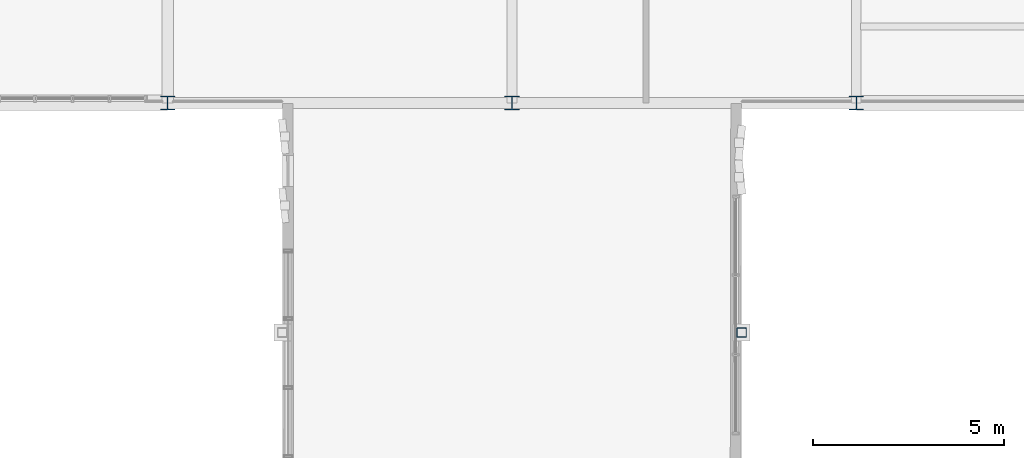
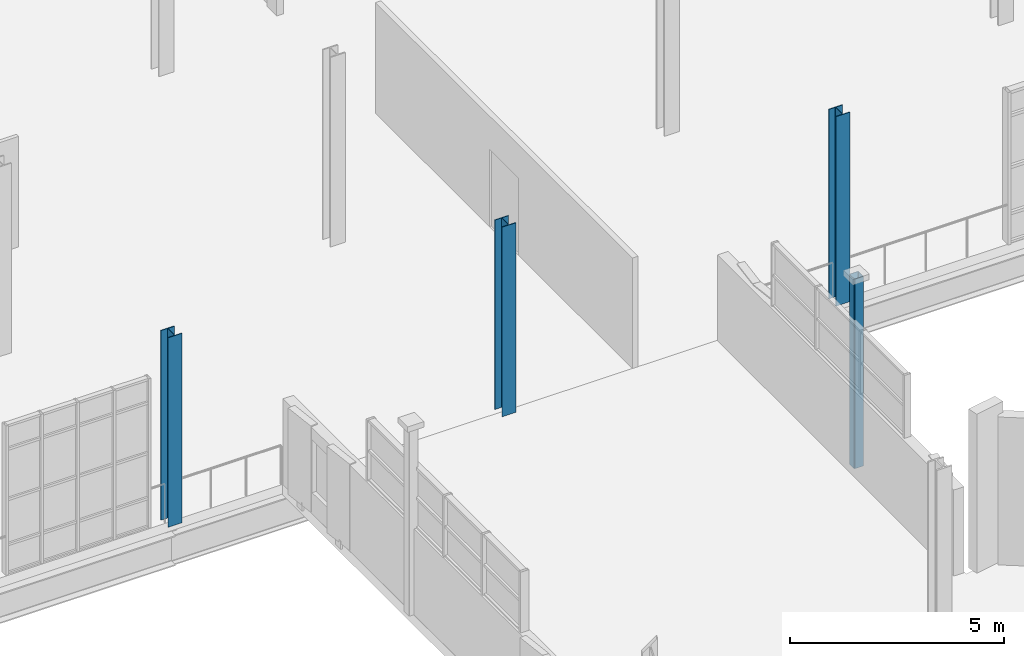
# One storey, part 8 of 142: 4 columns.
"""IFC4 building model written with IfcOpenShell, lengths in metres."""

from ifc_helpers import new_model, si_unit, direction, frame, origin, origin_2d, place, context, subcontext, project, spatial, hollow_rectangle, i_section, extrude, material, material_profile, profile_set, type_object, element, save


model = new_model("IFC4")

# Units and contexts
model_context = context("Model", 3, precision=1e-05, world=origin(), true_north=direction((0.0, 1.0)))
body_context = subcontext(model_context, "Body", "Model", "MODEL_VIEW")
ifc_project = project(units=[si_unit("LENGTHUNIT", "METRE"), si_unit("AREAUNIT", "SQUARE_METRE"), si_unit("VOLUMEUNIT", "CUBIC_METRE"), si_unit("PLANEANGLEUNIT", "RADIAN"), si_unit("MASSUNIT", "GRAM", prefix="KILO"), si_unit("THERMODYNAMICTEMPERATUREUNIT", "KELVIN"), si_unit("POWERUNIT", "WATT")], contexts=[model_context])

# Site, building, storey
site_placement = place(None, origin())
site = spatial("IfcSite", under=ifc_project, at=site_placement, CompositionType="ELEMENT")
building_placement = place(site_placement, origin())
building = spatial("IfcBuilding", under=site, at=building_placement, Name="Zelmaris Science Centre", CompositionType="ELEMENT")
storey_placement = place(building_placement, frame((0.0, 0.0, 5.39990234375)))
storey = spatial("IfcBuildingStorey", under=building, at=storey_placement, Name="L01", CompositionType="ELEMENT", Elevation=5.39990234375)

# Columns
ifc_material_1 = material(Name="Steel ASTM A992 Grade 50", Category="steel")
ifc_material_profile_1 = material_profile(ifc_material_1, i_section(OverallWidth=0.367919921875, OverallDepth=0.35595703125, WebThickness=0.01123046875, FlangeThickness=0.01806640625, FilletRadius=0.014892578125, at=origin_2d()), Name="W14X90")
ifc_profile_set_1 = profile_set([ifc_material_profile_1], Name="Steel ASTM A992 Grade 50")
column_type_1 = type_object("IfcColumnType", Name="Column C-07 W14X90", PredefinedType="COLUMN", material=ifc_profile_set_1)
for number, where, z_axis, x_axis, name in (
    (1, (72.0, 64.0, 0.0), (0.0, 0.0, 1.0), (1.0, 0.0, 0.0), "Column V5-C-72-64 L01"),
    (2, (81.0, 64.0, 0.0), (0.0, 0.0, 1.0), (1.0, 0.0, 0.0), "Column V5-C-81-64 L01"),
    (3, (90.0, 64.0, 0.0), (0.0, 0.0, 1.0), (1.0, 0.0, 0.0), "Column V5-C-90-64 L01"),
):
    element("IfcColumn", number, at=place(storey_placement, frame(where, z_axis=z_axis, x_axis=x_axis)), inside=storey, type_object=column_type_1, Name=name, PredefinedType="COLUMN", context=body_context, shape_type="SweptSolid", body=[
        extrude(i_section(OverallWidth=0.367919921875, OverallDepth=0.35595703125, WebThickness=0.01123046875, FlangeThickness=0.01806640625, FilletRadius=0.014892578125, at=origin_2d()), origin(), (0.0, 0.0, 1.0), 5.400146484375),
    ])
ifc_material_2 = material(Name="Steel ASTM A500 Grade C", Category="steel")
ifc_material_profile_2 = material_profile(ifc_material_2, hollow_rectangle(XDim=0.25390625, YDim=0.25390625, WallThickness=0.01171875, InnerFilletRadius=0.01171875, OuterFilletRadius=0.023681640625, at=origin_2d()), Name="HSS254X254X13")
ifc_profile_set_2 = profile_set([ifc_material_profile_2], Name="Steel ASTM A500 Grade C")
column_type_2 = type_object("IfcColumnType", Name="Column C-11 HSS254X254X13", PredefinedType="COLUMN", material=ifc_profile_set_2)
column_placement = place(storey_placement, frame((87.0, 58.0, 0.0), z_axis=(0.0, 0.0, 1.0), x_axis=(1.0, 0.0, 0.0)))
element("IfcColumn", 4, at=column_placement, inside=storey, type_object=column_type_2, Name="Column LK-N-87 L01", PredefinedType="COLUMN", context=body_context, shape_type="SweptSolid", body=[
    extrude(hollow_rectangle(XDim=0.25390625, YDim=0.25390625, WallThickness=0.01171875, InnerFilletRadius=0.01171875, OuterFilletRadius=0.023681640625, at=origin_2d()), origin(), (0.0, 0.0, 1.0), 5.400146484375),
])

save(model, "model.ifc")
